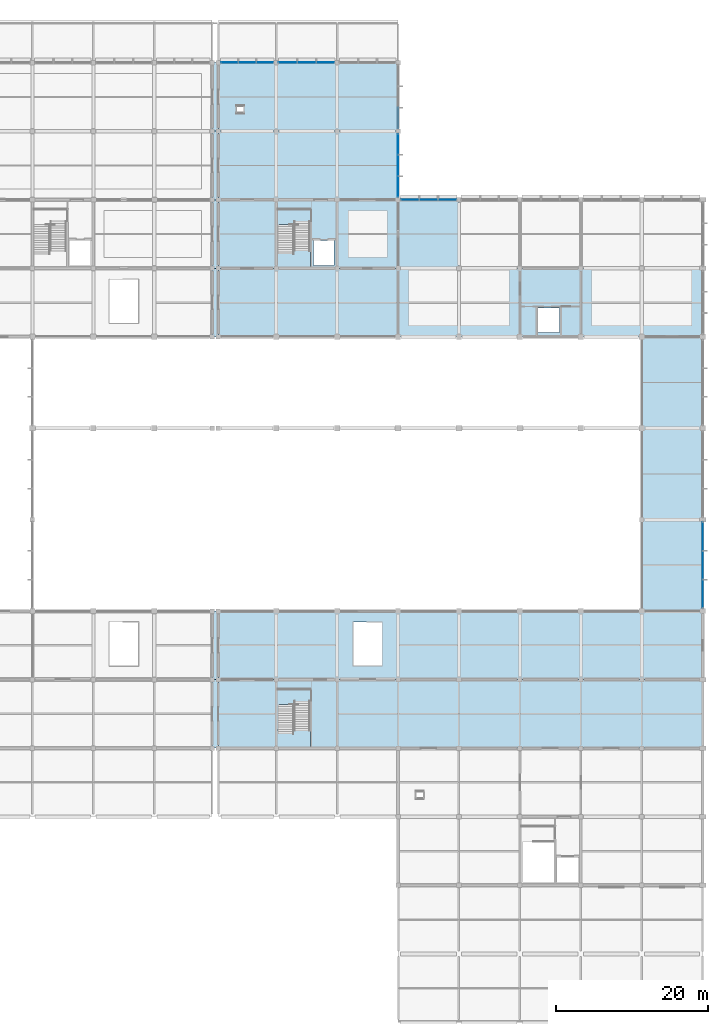
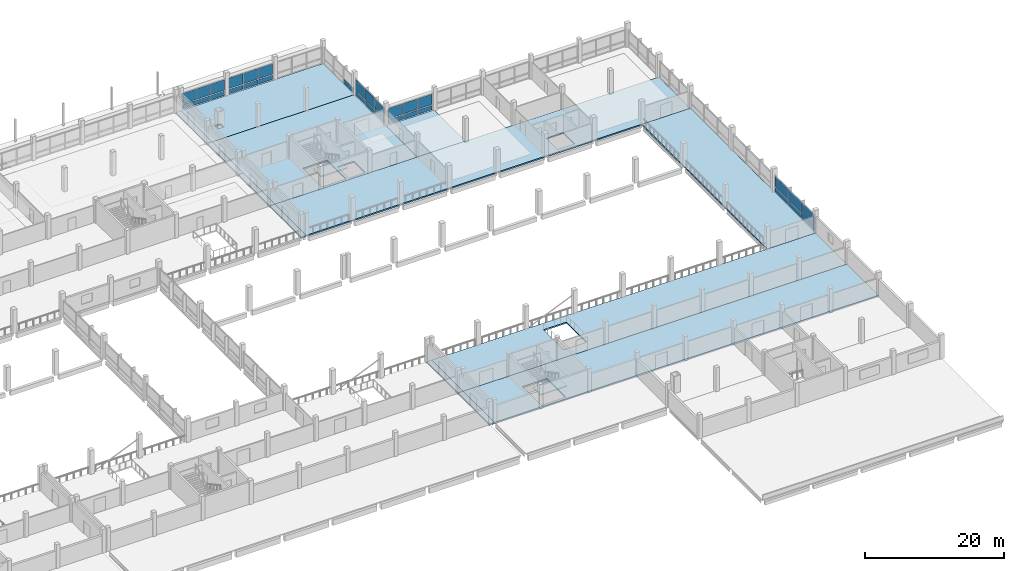
# One storey, part 37 of 57: 31 plates, 15 slabs, 8 elements without a shape of their own.
"""IFC4 building model written with IfcOpenShell, lengths in metres."""

from ifc_helpers import new_model, si_unit, direction, frame, origin, origin_2d, place, context, subcontext, project, spatial, polyline, rectangle, outline, extrude, material, layer, layer_set, type_object, element, aggregate, save


model = new_model("IFC4")

# Units and contexts
model_context = context("Model", 3, precision=1e-05, world=origin(), true_north=direction((0.0, 1.0)))
body_context = subcontext(model_context, "Body", "Model", "MODEL_VIEW")
ifc_project = project(units=[si_unit("LENGTHUNIT", "METRE"), si_unit("AREAUNIT", "SQUARE_METRE"), si_unit("VOLUMEUNIT", "CUBIC_METRE"), si_unit("PLANEANGLEUNIT", "RADIAN"), si_unit("MASSUNIT", "GRAM", prefix="KILO"), si_unit("THERMODYNAMICTEMPERATUREUNIT", "KELVIN"), si_unit("POWERUNIT", "WATT")], contexts=[model_context])

# Site, building, storey
site_placement = place(None, origin())
site = spatial("IfcSite", under=ifc_project, at=site_placement, CompositionType="ELEMENT")
building_placement = place(site_placement, origin())
building = spatial("IfcBuilding", under=site, at=building_placement, Name="Kronsvod Quay Wholesale Market", CompositionType="ELEMENT")
storey_placement = place(building_placement, frame((0.0, 0.0, 4.800048828125)))
storey = spatial("IfcBuildingStorey", under=building, at=storey_placement, Name="L01", CompositionType="ELEMENT", Elevation=4.800048828125)

# Curtain wall, plates
ifc_material_1 = material(Name="Thermally broken aluminium and triple low-E glazing", Category="aluminium")
curtain_wall_type_1 = type_object("IfcCurtainWallType", Name="CW_Harbour76x33", PredefinedType="NOTDEFINED", material=ifc_material_1)
curtain_wall_1_placement = place(storey_placement, origin())
curtain_wall_1 = element("IfcCurtainWall", 1, at=curtain_wall_1_placement, inside=storey, type_object=curtain_wall_type_1, Name="CWGX-L01-1284-1260", PredefinedType="NOTDEFINED")
ifc_material_2 = material(Name="Insulated aluminium spandrel panel", Category="aluminium")
ifc_layer_1 = layer(ifc_material_2, 0.048095703125)
ifc_layer_set_1 = layer_set([ifc_layer_1], Name="Insulated aluminium spandrel panel")
plate_type_1 = type_object("IfcPlateType", Name="CWPanel_SP2224x775", PredefinedType="CURTAIN_PANEL", material=ifc_layer_set_1)
plate_1_placement = place(storey_placement, frame((134.517822265625, 126.0, 0.14990234375), z_axis=(0.0, 0.0, 1.0), x_axis=(-1.0, 0.0, 0.0)))
plate_1 = element("IfcPlate", 2, at=plate_1_placement, type_object=plate_type_1, Name="CWGX-L01-1284-1260-PS1", PredefinedType="CURTAIN_PANEL", context=body_context, shape_type="SweptSolid", body=[
    extrude(rectangle(XDim=2.22412109375, YDim=0.048095703125, at=origin_2d()), origin(), (0.0, 0.0, 1.0), 0.77490234375),
])
plate_2_placement = place(storey_placement, frame((129.882080078125, 126.0, 0.14990234375), z_axis=(0.0, 0.0, 1.0), x_axis=(-1.0, 0.0, 0.0)))
plate_2 = element("IfcPlate", 3, at=plate_2_placement, type_object=plate_type_1, Name="CWGX-L01-1284-1260-PS3", PredefinedType="CURTAIN_PANEL", context=body_context, shape_type="SweptSolid", body=[
    extrude(rectangle(XDim=2.22412109375, YDim=0.048095703125, at=origin_2d()), origin(), (0.0, 0.0, 1.0), 0.77490234375),
])
ifc_material_3 = material(Name="Insulated aluminium spandrel panel", Category="aluminium")
ifc_layer_2 = layer(ifc_material_3, 0.048095703125)
ifc_layer_set_2 = layer_set([ifc_layer_2], Name="Insulated aluminium spandrel panel")
plate_type_2 = type_object("IfcPlateType", Name="CWPanel_SP2262x775", PredefinedType="CURTAIN_PANEL", material=ifc_layer_set_2)
plate_3_placement = place(storey_placement, frame((132.199951171875, 126.0, 0.14990234375), z_axis=(0.0, 0.0, 1.0), x_axis=(-1.0, 0.0, 0.0)))
plate_3 = element("IfcPlate", 4, at=plate_3_placement, type_object=plate_type_2, Name="CWGX-L01-1284-1260-PS2", PredefinedType="CURTAIN_PANEL", context=body_context, shape_type="SweptSolid", body=[
    extrude(rectangle(XDim=2.261962890625, YDim=0.048095703125, at=origin_2d()), origin(), (0.0, 0.0, 1.0), 0.77490234375),
])

ifc_material_4 = material(Name="Thermally broken aluminium and triple low-E glazing", Category="aluminium")
curtain_wall_type_2 = type_object("IfcCurtainWallType", Name="CW_Forecourt80x33", PredefinedType="NOTDEFINED", material=ifc_material_4)
curtain_wall_2_placement = place(storey_placement, origin())
curtain_wall_2 = element("IfcCurtainWall", 5, at=curtain_wall_2_placement, inside=storey, type_object=curtain_wall_type_2, Name="CWGX-L01-1520-1080", PredefinedType="NOTDEFINED")
ifc_material_5 = material(Name="Insulated aluminium spandrel panel", Category="aluminium")
ifc_layer_3 = layer(ifc_material_5, 0.048095703125)
ifc_layer_set_3 = layer_set([ifc_layer_3], Name="Insulated aluminium spandrel panel")
plate_type_3 = type_object("IfcPlateType", Name="CWPanel_SP2349x775", PredefinedType="CURTAIN_PANEL", material=ifc_layer_set_3)
plate_4_placement = place(storey_placement, frame((158.455322265625, 108.0, 0.14990234375), z_axis=(0.0, 0.0, 1.0), x_axis=(-1.0, 0.0, 0.0)))
plate_4 = element("IfcPlate", 6, at=plate_4_placement, type_object=plate_type_3, Name="CWGX-L01-1520-1080-PS1", PredefinedType="CURTAIN_PANEL", context=body_context, shape_type="SweptSolid", body=[
    extrude(rectangle(XDim=2.34912109375, YDim=0.048095703125, at=origin_2d()), origin(), (0.0, 0.0, 1.0), 0.77490234375),
])
plate_5_placement = place(storey_placement, frame((153.569580078125, 108.0, 0.14990234375), z_axis=(0.0, 0.0, 1.0), x_axis=(-1.0, 0.0, 0.0)))
plate_5 = element("IfcPlate", 7, at=plate_5_placement, type_object=plate_type_3, Name="CWGX-L01-1520-1080-PS3", PredefinedType="CURTAIN_PANEL", context=body_context, shape_type="SweptSolid", body=[
    extrude(rectangle(XDim=2.34912109375, YDim=0.048095703125, at=origin_2d()), origin(), (0.0, 0.0, 1.0), 0.77490234375),
])

ifc_material_6 = material(Name="Thermally broken aluminium and triple low-E glazing", Category="aluminium")
curtain_wall_type_3 = type_object("IfcCurtainWallType", Name="CW_Harbour80x33", PredefinedType="NOTDEFINED", material=ifc_material_6)
curtain_wall_3_placement = place(storey_placement, origin())
curtain_wall_3 = element("IfcCurtainWall", 8, at=curtain_wall_3_placement, inside=storey, type_object=curtain_wall_type_3, Name="CWGX-L01-1360-1260", PredefinedType="NOTDEFINED")
ifc_material_7 = material(Name="Insulated aluminium spandrel panel", Category="aluminium")
ifc_layer_4 = layer(ifc_material_7, 0.048095703125)
ifc_layer_set_4 = layer_set([ifc_layer_4], Name="Insulated aluminium spandrel panel")
plate_type_4 = type_object("IfcPlateType", Name="CWPanel_SP2358x775", PredefinedType="CURTAIN_PANEL", material=ifc_layer_set_4)
plate_6_placement = place(storey_placement, frame((142.451171875, 126.0, 0.14990234375), z_axis=(0.0, 0.0, 1.0), x_axis=(-1.0, 0.0, 0.0)))
plate_6 = element("IfcPlate", 9, at=plate_6_placement, type_object=plate_type_4, Name="CWGX-L01-1360-1260-PS1", PredefinedType="CURTAIN_PANEL", context=body_context, shape_type="SweptSolid", body=[
    extrude(rectangle(XDim=2.35791015625, YDim=0.048095703125, at=origin_2d()), origin(), (0.0, 0.0, 1.0), 0.77490234375),
])
plate_7_placement = place(storey_placement, frame((137.548828125, 126.0, 0.14990234375), z_axis=(0.0, 0.0, 1.0), x_axis=(-1.0, 0.0, 0.0)))
plate_7 = element("IfcPlate", 10, at=plate_7_placement, type_object=plate_type_4, Name="CWGX-L01-1360-1260-PS3", PredefinedType="CURTAIN_PANEL", context=body_context, shape_type="SweptSolid", body=[
    extrude(rectangle(XDim=2.35791015625, YDim=0.048095703125, at=origin_2d()), origin(), (0.0, 0.0, 1.0), 0.77490234375),
])

# Plate
ifc_material_8 = material(Name="Insulated aluminium spandrel panel", Category="aluminium")
ifc_layer_5 = layer(ifc_material_8, 0.048095703125)
ifc_layer_set_5 = layer_set([ifc_layer_5], Name="Insulated aluminium spandrel panel")
plate_type_5 = type_object("IfcPlateType", Name="CWPanel_SP2387x775", PredefinedType="CURTAIN_PANEL", material=ifc_layer_set_5)
plate_8_placement = place(storey_placement, frame((156.012451171875, 108.0, 0.14990234375), z_axis=(0.0, 0.0, 1.0), x_axis=(-1.0, 0.0, 0.0)))
plate_8 = element("IfcPlate", 11, at=plate_8_placement, type_object=plate_type_5, Name="CWGX-L01-1520-1080-PS2", PredefinedType="CURTAIN_PANEL", context=body_context, shape_type="SweptSolid", body=[
    extrude(rectangle(XDim=2.386962890625, YDim=0.048095703125, at=origin_2d()), origin(), (0.0, 0.0, 1.0), 0.77490234375),
])

ifc_material_9 = material(Name="Insulated aluminium spandrel panel", Category="aluminium")
ifc_layer_6 = layer(ifc_material_9, 0.048095703125)
ifc_layer_set_6 = layer_set([ifc_layer_6], Name="Insulated aluminium spandrel panel")
plate_type_6 = type_object("IfcPlateType", Name="CWPanel_SP2395x775", PredefinedType="CURTAIN_PANEL", material=ifc_layer_set_6)
plate_9_placement = place(storey_placement, frame((140.0, 126.0, 0.14990234375), z_axis=(0.0, 0.0, 1.0), x_axis=(-1.0, 0.0, 0.0)))
plate_9 = element("IfcPlate", 12, at=plate_9_placement, type_object=plate_type_6, Name="CWGX-L01-1360-1260-PS2", PredefinedType="CURTAIN_PANEL", context=body_context, shape_type="SweptSolid", body=[
    extrude(rectangle(XDim=2.39501953125, YDim=0.048095703125, at=origin_2d()), origin(), (0.0, 0.0, 1.0), 0.77490234375),
])

# Curtain wall, plates
ifc_material_10 = material(Name="Thermally broken aluminium and triple low-E glazing", Category="aluminium")
curtain_wall_type_4 = type_object("IfcCurtainWallType", Name="CW_Wing90x33", PredefinedType="NOTDEFINED", material=ifc_material_10)
curtain_wall_4_placement = place(storey_placement, origin())
curtain_wall_4 = element("IfcCurtainWall", 13, at=curtain_wall_4_placement, inside=storey, type_object=curtain_wall_type_4, Name="CWGY-L01-1520-1080", PredefinedType="NOTDEFINED")
ifc_material_11 = material(Name="Insulated aluminium spandrel panel", Category="aluminium")
ifc_layer_7 = layer(ifc_material_11, 0.048095703125)
ifc_layer_set_7 = layer_set([ifc_layer_7], Name="Insulated aluminium spandrel panel")
plate_type_7 = type_object("IfcPlateType", Name="CWPanel_SP2683x775", PredefinedType="CURTAIN_PANEL", material=ifc_layer_set_7)
plate_10_placement = place(storey_placement, frame((152.0, 109.736328125, 0.14990234375), z_axis=(0.0, 0.0, 1.0), x_axis=(0.0, 1.0, 0.0)))
plate_10 = element("IfcPlate", 14, at=plate_10_placement, type_object=plate_type_7, Name="CWGY-L01-1520-1080-PS1", PredefinedType="CURTAIN_PANEL", context=body_context, shape_type="SweptSolid", body=[
    extrude(rectangle(XDim=2.68310546875, YDim=0.048095703125, at=origin_2d()), origin(), (0.0, 0.0, 1.0), 0.77490234375),
])
plate_11_placement = place(storey_placement, frame((152.0, 115.288818359375, 0.14990234375), z_axis=(0.0, 0.0, 1.0), x_axis=(0.0, 1.0, 0.0)))
plate_11 = element("IfcPlate", 15, at=plate_11_placement, type_object=plate_type_7, Name="CWGY-L01-1520-1080-PS3", PredefinedType="CURTAIN_PANEL", context=body_context, shape_type="SweptSolid", body=[
    extrude(rectangle(XDim=2.68310546875, YDim=0.048095703125, at=origin_2d()), origin(), (0.0, 0.0, 1.0), 0.77490234375),
])

# Curtain wall, plate
curtain_wall_5_placement = place(storey_placement, origin())
curtain_wall_5 = element("IfcCurtainWall", 16, at=curtain_wall_5_placement, inside=storey, type_object=curtain_wall_type_4, Name="CWGY-L01-1520-1170", PredefinedType="NOTDEFINED")
ifc_material_12 = material(Name="Insulated aluminium spandrel panel", Category="aluminium")
ifc_layer_8 = layer(ifc_material_12, 0.048095703125)
ifc_layer_set_8 = layer_set([ifc_layer_8], Name="Insulated aluminium spandrel panel")
plate_type_8 = type_object("IfcPlateType", Name="CWPanel_SP2691x775", PredefinedType="CURTAIN_PANEL", material=ifc_layer_set_8)
plate_12_placement = place(storey_placement, frame((152.0, 118.71533203125, 0.14990234375), z_axis=(0.0, 0.0, 1.0), x_axis=(0.0, 1.0, 0.0)))
plate_12 = element("IfcPlate", 17, at=plate_12_placement, type_object=plate_type_8, Name="CWGY-L01-1520-1170-PS1", PredefinedType="CURTAIN_PANEL", context=body_context, shape_type="SweptSolid", body=[
    extrude(rectangle(XDim=2.69091796875, YDim=0.048095703125, at=origin_2d()), origin(), (0.0, 0.0, 1.0), 0.77490234375),
])
aggregate(curtain_wall_5, [plate_12])

# Plate
ifc_material_13 = material(Name="Insulated aluminium spandrel panel", Category="aluminium")
ifc_layer_9 = layer(ifc_material_13, 0.048095703125)
ifc_layer_set_9 = layer_set([ifc_layer_9], Name="Insulated aluminium spandrel panel")
plate_type_9 = type_object("IfcPlateType", Name="CWPanel_SP2720x775", PredefinedType="CURTAIN_PANEL", material=ifc_layer_set_9)
plate_13_placement = place(storey_placement, frame((152.0, 112.512451171875, 0.14990234375), z_axis=(0.0, 0.0, 1.0), x_axis=(0.0, 1.0, 0.0)))
plate_13 = element("IfcPlate", 18, at=plate_13_placement, type_object=plate_type_9, Name="CWGY-L01-1520-1080-PS2", PredefinedType="CURTAIN_PANEL", context=body_context, shape_type="SweptSolid", body=[
    extrude(rectangle(XDim=2.719970703125, YDim=0.048095703125, at=origin_2d()), origin(), (0.0, 0.0, 1.0), 0.77490234375),
])

# Curtain wall, plates
ifc_material_14 = material(Name="Thermally broken aluminium and triple low-E glazing", Category="aluminium")
curtain_wall_type_5 = type_object("IfcCurtainWallType", Name="CW_Flower120x32", PredefinedType="NOTDEFINED", material=ifc_material_14)
curtain_wall_6_placement = place(storey_placement, origin())
curtain_wall_6 = element("IfcCurtainWall", 19, at=curtain_wall_6_placement, inside=storey, type_object=curtain_wall_type_5, Name="CWGY-L01-1920-540", PredefinedType="NOTDEFINED")
ifc_material_15 = material(Name="Insulated aluminium spandrel panel", Category="aluminium")
ifc_layer_10 = layer(ifc_material_15, 0.048095703125)
ifc_layer_set_10 = layer_set([ifc_layer_10], Name="Insulated aluminium spandrel panel")
plate_type_10 = type_object("IfcPlateType", Name="CWPanel_SP3674x775", PredefinedType="CURTAIN_PANEL", material=ifc_layer_set_10)
plate_14_placement = place(storey_placement, frame((192.0, 56.257080078125, 0.14990234375), z_axis=(0.0, 0.0, 1.0), x_axis=(0.0, 1.0, 0.0)))
plate_14 = element("IfcPlate", 20, at=plate_14_placement, type_object=plate_type_10, Name="CWGY-L01-1920-540-PS1", PredefinedType="CURTAIN_PANEL", context=body_context, shape_type="SweptSolid", body=[
    extrude(rectangle(XDim=3.674072265625, YDim=0.048095703125, at=origin_2d()), origin(), (0.0, 0.0, 1.0), 0.77490234375),
])
plate_15_placement = place(storey_placement, frame((192.0, 63.79296875, 0.14990234375), z_axis=(0.0, 0.0, 1.0), x_axis=(0.0, 1.0, 0.0)))
plate_15 = element("IfcPlate", 21, at=plate_15_placement, type_object=plate_type_10, Name="CWGY-L01-1920-540-PS3", PredefinedType="CURTAIN_PANEL", context=body_context, shape_type="SweptSolid", body=[
    extrude(rectangle(XDim=3.674072265625, YDim=0.048095703125, at=origin_2d()), origin(), (0.0, 0.0, 1.0), 0.77490234375),
])
ifc_material_16 = material(Name="Insulated aluminium spandrel panel", Category="aluminium")
ifc_layer_11 = layer(ifc_material_16, 0.048095703125)
ifc_layer_set_11 = layer_set([ifc_layer_11], Name="Insulated aluminium spandrel panel")
plate_type_11 = type_object("IfcPlateType", Name="CWPanel_SP3712x775", PredefinedType="CURTAIN_PANEL", material=ifc_layer_set_11)
plate_16_placement = place(storey_placement, frame((192.0, 60.02490234375, 0.14990234375), z_axis=(0.0, 0.0, 1.0), x_axis=(0.0, 1.0, 0.0)))
plate_16 = element("IfcPlate", 22, at=plate_16_placement, type_object=plate_type_11, Name="CWGY-L01-1920-540-PS2", PredefinedType="CURTAIN_PANEL", context=body_context, shape_type="SweptSolid", body=[
    extrude(rectangle(XDim=3.7119140625, YDim=0.048095703125, at=origin_2d()), origin(), (0.0, 0.0, 1.0), 0.77490234375),
])

# Plate
ifc_material_17 = material(Name="Triple low-E insulated glazing", Category="glass")
ifc_layer_12 = layer(ifc_material_17, 0.0439453125)
ifc_layer_set_12 = layer_set([ifc_layer_12], Name="Triple low-E insulated glazing")
plate_type_12 = type_object("IfcPlateType", Name="CWPanel_VS2224x1825", PredefinedType="CURTAIN_PANEL", material=ifc_layer_set_12)
plate_17_placement = place(storey_placement, frame((134.517822265625, 126.0, 1.0751953125), z_axis=(0.0, 0.0, 1.0), x_axis=(-1.0, 0.0, 0.0)))
plate_17 = element("IfcPlate", 23, at=plate_17_placement, type_object=plate_type_12, Name="CWGX-L01-1284-1260-PV1", PredefinedType="CURTAIN_PANEL", context=body_context, shape_type="SweptSolid", body=[
    extrude(rectangle(XDim=2.22412109375, YDim=0.0439453125, at=origin_2d()), origin(), (0.0, 0.0, 1.0), 1.824951171875),
])

plate_18_placement = place(storey_placement, frame((129.882080078125, 126.0, 1.0751953125), z_axis=(0.0, 0.0, 1.0), x_axis=(-1.0, 0.0, 0.0)))
plate_18 = element("IfcPlate", 24, at=plate_18_placement, type_object=plate_type_12, Name="CWGX-L01-1284-1260-PV3", PredefinedType="CURTAIN_PANEL", context=body_context, shape_type="SweptSolid", body=[
    extrude(rectangle(XDim=2.22412109375, YDim=0.0439453125, at=origin_2d()), origin(), (0.0, 0.0, 1.0), 1.824951171875),
])

ifc_material_18 = material(Name="Triple low-E insulated glazing", Category="glass")
ifc_layer_13 = layer(ifc_material_18, 0.0439453125)
ifc_layer_set_13 = layer_set([ifc_layer_13], Name="Triple low-E insulated glazing")
plate_type_13 = type_object("IfcPlateType", Name="CWPanel_VS2262x1825", PredefinedType="CURTAIN_PANEL", material=ifc_layer_set_13)
plate_19_placement = place(storey_placement, frame((132.199951171875, 126.0, 1.0751953125), z_axis=(0.0, 0.0, 1.0), x_axis=(-1.0, 0.0, 0.0)))
plate_19 = element("IfcPlate", 25, at=plate_19_placement, type_object=plate_type_13, Name="CWGX-L01-1284-1260-PV2", PredefinedType="CURTAIN_PANEL", context=body_context, shape_type="SweptSolid", body=[
    extrude(rectangle(XDim=2.261962890625, YDim=0.0439453125, at=origin_2d()), origin(), (0.0, 0.0, 1.0), 1.824951171875),
])

aggregate(curtain_wall_1, [plate_1, plate_17, plate_3, plate_19, plate_2, plate_18])

ifc_material_19 = material(Name="Triple low-E insulated glazing", Category="glass")
ifc_layer_14 = layer(ifc_material_19, 0.0439453125)
ifc_layer_set_14 = layer_set([ifc_layer_14], Name="Triple low-E insulated glazing")
plate_type_14 = type_object("IfcPlateType", Name="CWPanel_VS2349x1825", PredefinedType="CURTAIN_PANEL", material=ifc_layer_set_14)
plate_20_placement = place(storey_placement, frame((158.455322265625, 108.0, 1.0751953125), z_axis=(0.0, 0.0, 1.0), x_axis=(-1.0, 0.0, 0.0)))
plate_20 = element("IfcPlate", 26, at=plate_20_placement, type_object=plate_type_14, Name="CWGX-L01-1520-1080-PV1", PredefinedType="CURTAIN_PANEL", context=body_context, shape_type="SweptSolid", body=[
    extrude(rectangle(XDim=2.34912109375, YDim=0.0439453125, at=origin_2d()), origin(), (0.0, 0.0, 1.0), 1.824951171875),
])

plate_21_placement = place(storey_placement, frame((153.569580078125, 108.0, 1.0751953125), z_axis=(0.0, 0.0, 1.0), x_axis=(-1.0, 0.0, 0.0)))
plate_21 = element("IfcPlate", 27, at=plate_21_placement, type_object=plate_type_14, Name="CWGX-L01-1520-1080-PV3", PredefinedType="CURTAIN_PANEL", context=body_context, shape_type="SweptSolid", body=[
    extrude(rectangle(XDim=2.34912109375, YDim=0.0439453125, at=origin_2d()), origin(), (0.0, 0.0, 1.0), 1.824951171875),
])

ifc_material_20 = material(Name="Triple low-E insulated glazing", Category="glass")
ifc_layer_15 = layer(ifc_material_20, 0.0439453125)
ifc_layer_set_15 = layer_set([ifc_layer_15], Name="Triple low-E insulated glazing")
plate_type_15 = type_object("IfcPlateType", Name="CWPanel_VS2358x1825", PredefinedType="CURTAIN_PANEL", material=ifc_layer_set_15)
plate_22_placement = place(storey_placement, frame((142.451171875, 126.0, 1.0751953125), z_axis=(0.0, 0.0, 1.0), x_axis=(-1.0, 0.0, 0.0)))
plate_22 = element("IfcPlate", 28, at=plate_22_placement, type_object=plate_type_15, Name="CWGX-L01-1360-1260-PV1", PredefinedType="CURTAIN_PANEL", context=body_context, shape_type="SweptSolid", body=[
    extrude(rectangle(XDim=2.35791015625, YDim=0.0439453125, at=origin_2d()), origin(), (0.0, 0.0, 1.0), 1.824951171875),
])

plate_23_placement = place(storey_placement, frame((137.548828125, 126.0, 1.0751953125), z_axis=(0.0, 0.0, 1.0), x_axis=(-1.0, 0.0, 0.0)))
plate_23 = element("IfcPlate", 29, at=plate_23_placement, type_object=plate_type_15, Name="CWGX-L01-1360-1260-PV3", PredefinedType="CURTAIN_PANEL", context=body_context, shape_type="SweptSolid", body=[
    extrude(rectangle(XDim=2.35791015625, YDim=0.0439453125, at=origin_2d()), origin(), (0.0, 0.0, 1.0), 1.824951171875),
])

ifc_material_21 = material(Name="Triple low-E insulated glazing", Category="glass")
ifc_layer_16 = layer(ifc_material_21, 0.0439453125)
ifc_layer_set_16 = layer_set([ifc_layer_16], Name="Triple low-E insulated glazing")
plate_type_16 = type_object("IfcPlateType", Name="CWPanel_VS2387x1825", PredefinedType="CURTAIN_PANEL", material=ifc_layer_set_16)
plate_24_placement = place(storey_placement, frame((156.012451171875, 108.0, 1.0751953125), z_axis=(0.0, 0.0, 1.0), x_axis=(-1.0, 0.0, 0.0)))
plate_24 = element("IfcPlate", 30, at=plate_24_placement, type_object=plate_type_16, Name="CWGX-L01-1520-1080-PV2", PredefinedType="CURTAIN_PANEL", context=body_context, shape_type="SweptSolid", body=[
    extrude(rectangle(XDim=2.386962890625, YDim=0.0439453125, at=origin_2d()), origin(), (0.0, 0.0, 1.0), 1.824951171875),
])

aggregate(curtain_wall_2, [plate_4, plate_20, plate_8, plate_24, plate_5, plate_21])

ifc_material_22 = material(Name="Triple low-E insulated glazing", Category="glass")
ifc_layer_17 = layer(ifc_material_22, 0.0439453125)
ifc_layer_set_17 = layer_set([ifc_layer_17], Name="Triple low-E insulated glazing")
plate_type_17 = type_object("IfcPlateType", Name="CWPanel_VS2395x1825", PredefinedType="CURTAIN_PANEL", material=ifc_layer_set_17)
plate_25_placement = place(storey_placement, frame((140.0, 126.0, 1.0751953125), z_axis=(0.0, 0.0, 1.0), x_axis=(-1.0, 0.0, 0.0)))
plate_25 = element("IfcPlate", 31, at=plate_25_placement, type_object=plate_type_17, Name="CWGX-L01-1360-1260-PV2", PredefinedType="CURTAIN_PANEL", context=body_context, shape_type="SweptSolid", body=[
    extrude(rectangle(XDim=2.39501953125, YDim=0.0439453125, at=origin_2d()), origin(), (0.0, 0.0, 1.0), 1.824951171875),
])

aggregate(curtain_wall_3, [plate_6, plate_22, plate_9, plate_25, plate_7, plate_23])

ifc_material_23 = material(Name="Triple low-E insulated glazing", Category="glass")
ifc_layer_18 = layer(ifc_material_23, 0.0439453125)
ifc_layer_set_18 = layer_set([ifc_layer_18], Name="Triple low-E insulated glazing")
plate_type_18 = type_object("IfcPlateType", Name="CWPanel_VS2683x1825", PredefinedType="CURTAIN_PANEL", material=ifc_layer_set_18)
plate_26_placement = place(storey_placement, frame((152.0, 109.736328125, 1.0751953125), z_axis=(0.0, 0.0, 1.0), x_axis=(0.0, 1.0, 0.0)))
plate_26 = element("IfcPlate", 32, at=plate_26_placement, type_object=plate_type_18, Name="CWGY-L01-1520-1080-PV1", PredefinedType="CURTAIN_PANEL", context=body_context, shape_type="SweptSolid", body=[
    extrude(rectangle(XDim=2.68310546875, YDim=0.0439453125, at=origin_2d()), origin(), (0.0, 0.0, 1.0), 1.824951171875),
])

plate_27_placement = place(storey_placement, frame((152.0, 115.288818359375, 1.0751953125), z_axis=(0.0, 0.0, 1.0), x_axis=(0.0, 1.0, 0.0)))
plate_27 = element("IfcPlate", 33, at=plate_27_placement, type_object=plate_type_18, Name="CWGY-L01-1520-1080-PV3", PredefinedType="CURTAIN_PANEL", context=body_context, shape_type="SweptSolid", body=[
    extrude(rectangle(XDim=2.68310546875, YDim=0.0439453125, at=origin_2d()), origin(), (0.0, 0.0, 1.0), 1.824951171875),
])

ifc_material_24 = material(Name="Triple low-E insulated glazing", Category="glass")
ifc_layer_19 = layer(ifc_material_24, 0.0439453125)
ifc_layer_set_19 = layer_set([ifc_layer_19], Name="Triple low-E insulated glazing")
plate_type_19 = type_object("IfcPlateType", Name="CWPanel_VS2720x1825", PredefinedType="CURTAIN_PANEL", material=ifc_layer_set_19)
plate_28_placement = place(storey_placement, frame((152.0, 112.512451171875, 1.0751953125), z_axis=(0.0, 0.0, 1.0), x_axis=(0.0, 1.0, 0.0)))
plate_28 = element("IfcPlate", 34, at=plate_28_placement, type_object=plate_type_19, Name="CWGY-L01-1520-1080-PV2", PredefinedType="CURTAIN_PANEL", context=body_context, shape_type="SweptSolid", body=[
    extrude(rectangle(XDim=2.719970703125, YDim=0.0439453125, at=origin_2d()), origin(), (0.0, 0.0, 1.0), 1.824951171875),
])

aggregate(curtain_wall_4, [plate_10, plate_26, plate_13, plate_28, plate_11, plate_27])

ifc_material_25 = material(Name="Triple low-E insulated glazing", Category="glass")
ifc_layer_20 = layer(ifc_material_25, 0.0439453125)
ifc_layer_set_20 = layer_set([ifc_layer_20], Name="Triple low-E insulated glazing")
plate_type_20 = type_object("IfcPlateType", Name="CWPanel_VS3674x1825", PredefinedType="CURTAIN_PANEL", material=ifc_layer_set_20)
plate_29_placement = place(storey_placement, frame((192.0, 56.257080078125, 1.0751953125), z_axis=(0.0, 0.0, 1.0), x_axis=(0.0, 1.0, 0.0)))
plate_29 = element("IfcPlate", 35, at=plate_29_placement, type_object=plate_type_20, Name="CWGY-L01-1920-540-PV1", PredefinedType="CURTAIN_PANEL", context=body_context, shape_type="SweptSolid", body=[
    extrude(rectangle(XDim=3.674072265625, YDim=0.0439453125, at=origin_2d()), origin(), (0.0, 0.0, 1.0), 1.824951171875),
])

plate_30_placement = place(storey_placement, frame((192.0, 63.79296875, 1.0751953125), z_axis=(0.0, 0.0, 1.0), x_axis=(0.0, 1.0, 0.0)))
plate_30 = element("IfcPlate", 36, at=plate_30_placement, type_object=plate_type_20, Name="CWGY-L01-1920-540-PV3", PredefinedType="CURTAIN_PANEL", context=body_context, shape_type="SweptSolid", body=[
    extrude(rectangle(XDim=3.674072265625, YDim=0.0439453125, at=origin_2d()), origin(), (0.0, 0.0, 1.0), 1.824951171875),
])

ifc_material_26 = material(Name="Triple low-E insulated glazing", Category="glass")
ifc_layer_21 = layer(ifc_material_26, 0.0439453125)
ifc_layer_set_21 = layer_set([ifc_layer_21], Name="Triple low-E insulated glazing")
plate_type_21 = type_object("IfcPlateType", Name="CWPanel_VS3712x1825", PredefinedType="CURTAIN_PANEL", material=ifc_layer_set_21)
plate_31_placement = place(storey_placement, frame((192.0, 60.02490234375, 1.0751953125), z_axis=(0.0, 0.0, 1.0), x_axis=(0.0, 1.0, 0.0)))
plate_31 = element("IfcPlate", 37, at=plate_31_placement, type_object=plate_type_21, Name="CWGY-L01-1920-540-PV2", PredefinedType="CURTAIN_PANEL", context=body_context, shape_type="SweptSolid", body=[
    extrude(rectangle(XDim=3.7119140625, YDim=0.0439453125, at=origin_2d()), origin(), (0.0, 0.0, 1.0), 1.824951171875),
])

aggregate(curtain_wall_6, [plate_14, plate_29, plate_16, plate_31, plate_15, plate_30])

# Slabs
ifc_material_27 = material(Name="Concrete C35/45", Category="concrete")
ifc_layer_22 = layer(ifc_material_27, 0.25)
ifc_layer_set_22 = layer_set([ifc_layer_22], Name="Concrete C35/45")
slab_type_1 = type_object("IfcSlabType", Name="Slab_Floor250", PredefinedType="FLOOR", material=ifc_layer_set_22)
slab_1_placement = place(storey_placement, frame((0.0, 0.0, -0.25)))
element("IfcSlab", 38, at=slab_1_placement, inside=storey, type_object=slab_type_1, Name="SLB-L01-080", PredefinedType="FLOOR", context=body_context, shape_type="SweptSolid", body=[
    extrude(outline(polyline([(184.0, 54.0), (192.0, 54.0), (192.0, 90.0), (184.0, 90.0), (184.0, 54.0)])), origin(), (0.0, 0.0, 1.0), 0.25),
])
slab_2_placement = place(storey_placement, frame((0.0, 0.0, -0.25)))
element("IfcSlab", 39, at=slab_2_placement, inside=storey, type_object=slab_type_1, Name="SLB-L01-082", PredefinedType="FLOOR", context=body_context, shape_type="SweptSolid", body=[
    extrude(outline(polyline([(128.419921875, 99.0), (152.0, 99.0), (152.0, 117.0), (128.419921875, 117.0), (128.419921875, 99.0)]), holes=[polyline([(136.3798828125, 99.3798828125), (140.4599609375, 99.3798828125), (140.4599609375, 104.75), (136.3798828125, 104.75), (136.3798828125, 99.3798828125)]), polyline([(140.89990234375, 99.3798828125), (143.6201171875, 99.3798828125), (143.6201171875, 102.6201171875), (140.89990234375, 102.6201171875), (140.89990234375, 99.3798828125)])]), origin(), (0.0, 0.0, 1.0), 0.25),
])
slab_3_placement = place(storey_placement, frame((0.0, 0.0, -0.25)))
element("IfcSlab", 40, at=slab_3_placement, inside=storey, type_object=slab_type_1, Name="SLB-L01-083", PredefinedType="FLOOR", context=body_context, shape_type="SweptSolid", body=[
    extrude(outline(polyline([(152.0, 99.0), (160.0, 99.0), (160.0, 108.0), (152.0, 108.0), (152.0, 99.0)])), origin(), (0.0, 0.0, 1.0), 0.25),
])
slab_4_placement = place(storey_placement, frame((0.0, 0.0, -0.25)))
element("IfcSlab", 41, at=slab_4_placement, inside=storey, type_object=slab_type_1, Name="SLB-L01-088", PredefinedType="FLOOR", context=body_context, shape_type="SweptSolid", body=[
    extrude(outline(polyline([(128.419921875, 117.0), (152.0, 117.0), (152.0, 126.0), (128.419921875, 126.0), (128.419921875, 117.0)]), holes=[polyline([(130.820068359375, 119.39990234375), (131.719970703125, 119.39990234375), (131.719970703125, 120.300048828125), (130.820068359375, 120.300048828125), (130.820068359375, 119.39990234375)])]), origin(), (0.0, 0.0, 1.0), 0.25),
])
ifc_material_28 = material(Name="Concrete C35/45", Category="concrete")
ifc_layer_23 = layer(ifc_material_28, 0.300048828125)
ifc_layer_set_23 = layer_set([ifc_layer_23], Name="Concrete C35/45")
slab_type_2 = type_object("IfcSlabType", Name="Slab_FloorCold300", PredefinedType="FLOOR", material=ifc_layer_set_23)
slab_5_placement = place(storey_placement, frame((0.0, 0.0, -0.300048828125)))
element("IfcSlab", 42, at=slab_5_placement, inside=storey, type_object=slab_type_2, Name="SLB-L01-078", PredefinedType="FLOOR", context=body_context, shape_type="SweptSolid", body=[
    extrude(outline(polyline([(128.419921875, 36.0), (192.0, 36.0), (192.0, 45.0), (128.419921875, 45.0), (128.419921875, 36.0)]), holes=[polyline([(136.3798828125, 36.3798828125), (140.4599609375, 36.3798828125), (140.4599609375, 41.75), (136.3798828125, 41.75), (136.3798828125, 36.3798828125)])]), origin(), (0.0, 0.0, 1.0), 0.300048828125),
])
ifc_material_29 = material(Name="Concrete C35/45", Category="concrete")
ifc_layer_24 = layer(ifc_material_29, 0.22998046875)
ifc_layer_set_24 = layer_set([ifc_layer_24], Name="Concrete C35/45")
slab_type_3 = type_object("IfcSlabType", Name="Slab_FloorGallery230", PredefinedType="FLOOR", material=ifc_layer_set_24)
slab_6_placement = place(storey_placement, frame((0.0, 0.0, -0.22998046875)))
element("IfcSlab", 43, at=slab_6_placement, inside=storey, type_object=slab_type_3, Name="SLB-L01-079", PredefinedType="FLOOR", context=body_context, shape_type="SweptSolid", body=[
    extrude(outline(polyline([(128.419921875, 45.0), (192.0, 45.0), (192.0, 54.0), (128.419921875, 54.0), (128.419921875, 45.0)]), holes=[polyline([(146.10009765625, 46.800048828125), (149.89990234375, 46.800048828125), (149.89990234375, 52.550048828125), (146.10009765625, 52.550048828125), (146.10009765625, 46.800048828125)])]), origin(), (0.0, 0.0, 1.0), 0.22998046875),
])
slab_7_placement = place(storey_placement, frame((0.0, 0.0, -0.22998046875)))
element("IfcSlab", 44, at=slab_7_placement, inside=storey, type_object=slab_type_3, Name="SLB-L01-081", PredefinedType="FLOOR", context=body_context, shape_type="SweptSolid", body=[
    extrude(outline(polyline([(128.419921875, 90.0), (192.0, 90.0), (192.0, 99.0), (128.419921875, 99.0), (128.419921875, 90.0)]), holes=[polyline([(170.39990234375, 90.60009765625), (173.199951171875, 90.60009765625), (173.199951171875, 93.800048828125), (170.39990234375, 93.800048828125), (170.39990234375, 90.60009765625)])]), origin(), (0.0, 0.0, 1.0), 0.22998046875),
])
ifc_material_30 = material(Name="Concrete C35/45", Category="concrete")
ifc_layer_25 = layer(ifc_material_30, 0.2451171875)
ifc_layer_set_25 = layer_set([ifc_layer_25], Name="Concrete C35/45")
slab_type_4 = type_object("IfcSlabType", Name="Slab_JointBridge245", PredefinedType="FLOOR", material=ifc_layer_set_25)
slab_8_placement = place(storey_placement, frame((0.0, 0.0, -0.2451171875)))
element("IfcSlab", 45, at=slab_8_placement, inside=storey, type_object=slab_type_4, Name="SLB-MJ-L01-J2-36", PredefinedType="FLOOR", context=body_context, shape_type="SweptSolid", body=[
    extrude(outline(polyline([(127.580078125, 36.0), (128.419921875, 36.0), (128.419921875, 45.0), (127.580078125, 45.0), (127.580078125, 36.0)])), origin(), (0.0, 0.0, 1.0), 0.2451171875),
])
slab_9_placement = place(storey_placement, frame((0.0, 0.0, -0.2451171875)))
element("IfcSlab", 46, at=slab_9_placement, inside=storey, type_object=slab_type_4, Name="SLB-MJ-L01-J2-45", PredefinedType="FLOOR", context=body_context, shape_type="SweptSolid", body=[
    extrude(outline(polyline([(127.580078125, 45.0), (128.419921875, 45.0), (128.419921875, 54.0), (127.580078125, 54.0), (127.580078125, 45.0)])), origin(), (0.0, 0.0, 1.0), 0.2451171875),
])
slab_10_placement = place(storey_placement, frame((0.0, 0.0, -0.2451171875)))
element("IfcSlab", 47, at=slab_10_placement, inside=storey, type_object=slab_type_4, Name="SLB-MJ-L01-J2-90", PredefinedType="FLOOR", context=body_context, shape_type="SweptSolid", body=[
    extrude(outline(polyline([(127.580078125, 90.0), (128.419921875, 90.0), (128.419921875, 99.0), (127.580078125, 99.0), (127.580078125, 90.0)])), origin(), (0.0, 0.0, 1.0), 0.2451171875),
])
slab_11_placement = place(storey_placement, frame((0.0, 0.0, -0.2451171875)))
element("IfcSlab", 48, at=slab_11_placement, inside=storey, type_object=slab_type_4, Name="SLB-MJ-L01-J2-99", PredefinedType="FLOOR", context=body_context, shape_type="SweptSolid", body=[
    extrude(outline(polyline([(127.580078125, 99.0), (128.419921875, 99.0), (128.419921875, 108.0), (127.580078125, 108.0), (127.580078125, 99.0)])), origin(), (0.0, 0.0, 1.0), 0.2451171875),
])
slab_12_placement = place(storey_placement, frame((0.0, 0.0, -0.2451171875)))
element("IfcSlab", 49, at=slab_12_placement, inside=storey, type_object=slab_type_4, Name="SLB-MJ-L01-J2-108", PredefinedType="FLOOR", context=body_context, shape_type="SweptSolid", body=[
    extrude(outline(polyline([(127.580078125, 108.0), (128.419921875, 108.0), (128.419921875, 117.0), (127.580078125, 117.0), (127.580078125, 108.0)])), origin(), (0.0, 0.0, 1.0), 0.2451171875),
])
slab_13_placement = place(storey_placement, frame((0.0, 0.0, -0.2451171875)))
element("IfcSlab", 50, at=slab_13_placement, inside=storey, type_object=slab_type_4, Name="SLB-MJ-L01-J2-117", PredefinedType="FLOOR", context=body_context, shape_type="SweptSolid", body=[
    extrude(outline(polyline([(127.580078125, 117.0), (128.419921875, 117.0), (128.419921875, 126.0), (127.580078125, 126.0), (127.580078125, 117.0)])), origin(), (0.0, 0.0, 1.0), 0.2451171875),
])

# Stair, slab
ifc_material_31 = material(Name="Concrete C35/45", Category="concrete")
stair_type_1 = type_object("IfcStairType", Name="Stair_CoreUpper_28R", PredefinedType="HALF_TURN_STAIR", material=ifc_material_31)
stair_1_placement = place(storey_placement, origin())
stair_1 = element("IfcStair", 51, at=stair_1_placement, inside=storey, type_object=stair_type_1, Name="ST05-L01", PredefinedType="HALF_TURN_STAIR")
ifc_material_32 = material(Name="Concrete C35/45", Category="concrete")
ifc_layer_26 = layer(ifc_material_32, 0.179931640625)
ifc_layer_set_26 = layer_set([ifc_layer_26], Name="Concrete C35/45")
slab_type_5 = type_object("IfcSlabType", Name="Slab_StairLanding180", PredefinedType="LANDING", material=ifc_layer_set_26)
slab_14_placement = place(storey_placement, frame((0.0, 0.0, 1.919921875)))
slab_14 = element("IfcSlab", 52, at=slab_14_placement, type_object=slab_type_5, Name="ST05-L01-LND", PredefinedType="LANDING", context=body_context, shape_type="SweptSolid", body=[
    extrude(outline(polyline([(136.1201171875, 36.1201171875), (140.5, 36.1201171875), (140.5, 38.360107421875), (136.1201171875, 38.360107421875), (136.1201171875, 36.1201171875)])), origin(), (0.0, 0.0, 1.0), 0.179931640625),
])
aggregate(stair_1, [slab_14])

ifc_material_33 = material(Name="Concrete C35/45", Category="concrete")
stair_type_2 = type_object("IfcStairType", Name="Stair_CoreV5_28R", PredefinedType="HALF_TURN_STAIR", material=ifc_material_33)
stair_2_placement = place(storey_placement, origin())
stair_2 = element("IfcStair", 53, at=stair_2_placement, inside=storey, type_object=stair_type_2, Name="ST10-L01", PredefinedType="HALF_TURN_STAIR")
slab_15_placement = place(storey_placement, frame((0.0, 0.0, 1.919921875)))
slab_15 = element("IfcSlab", 54, at=slab_15_placement, type_object=slab_type_5, Name="ST10-L01-LND", PredefinedType="LANDING", context=body_context, shape_type="SweptSolid", body=[
    extrude(outline(polyline([(136.1201171875, 99.1201171875), (140.5, 99.1201171875), (140.5, 101.360107421875), (136.1201171875, 101.360107421875), (136.1201171875, 99.1201171875)])), origin(), (0.0, 0.0, 1.0), 0.179931640625),
])
aggregate(stair_2, [slab_15])

save(model, "model.ifc")
